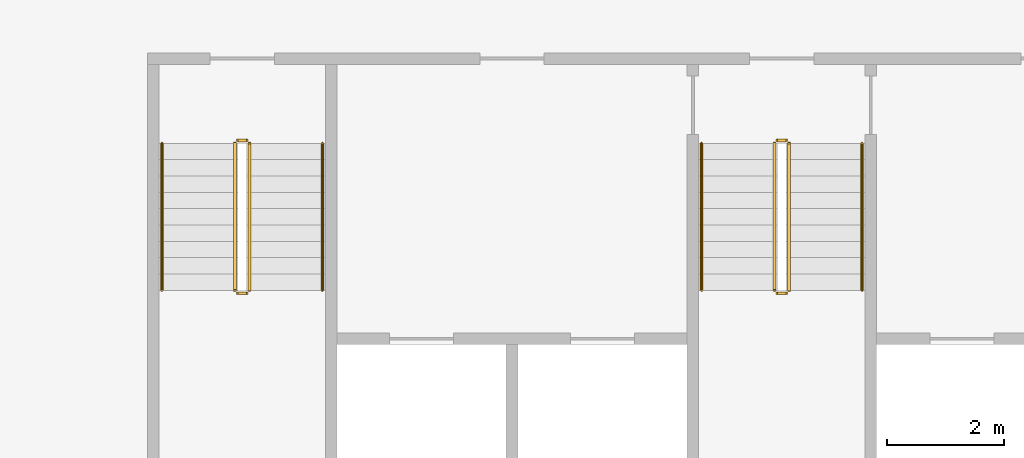
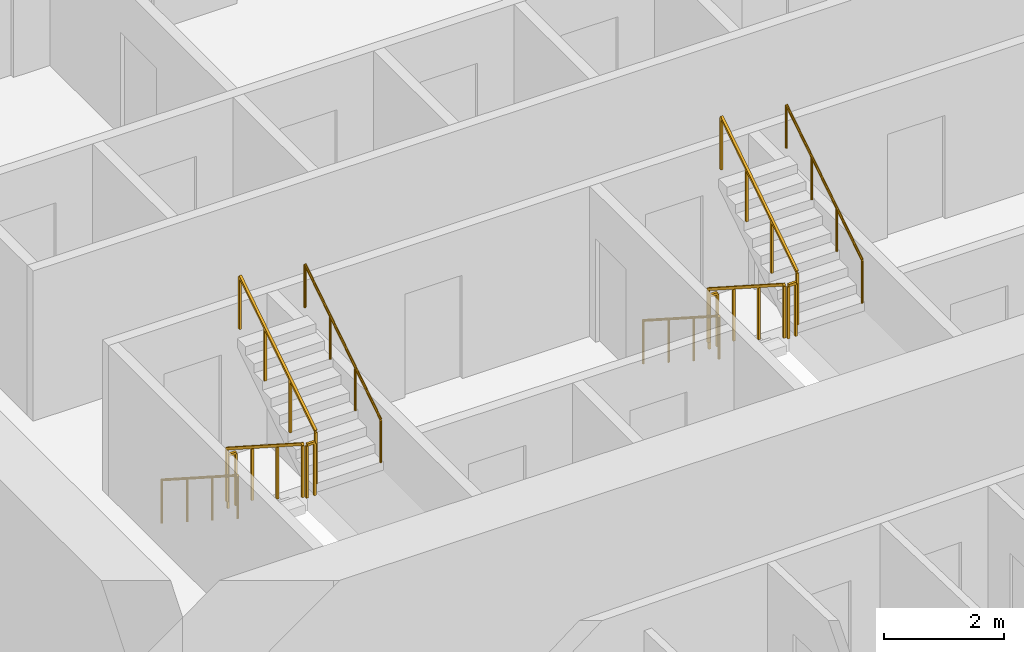
# One storey, part 15 of 17: 12 railings.
"""IFC4 building model written with IfcOpenShell, lengths in metres."""

from ifc_helpers import new_model, si_unit, direction, frame, origin, origin_2d, place, context, subcontext, project, spatial, rectangle, circle, extrude, material, type_object, element, save


model = new_model("IFC4")

# Units and contexts
model_context = context("Model", 3, precision=1e-05, world=origin(), true_north=direction((0.0, 1.0)))
body_context = subcontext(model_context, "Body", "Model", "MODEL_VIEW")
ifc_project = project(units=[si_unit("LENGTHUNIT", "METRE"), si_unit("AREAUNIT", "SQUARE_METRE"), si_unit("VOLUMEUNIT", "CUBIC_METRE"), si_unit("PLANEANGLEUNIT", "RADIAN"), si_unit("MASSUNIT", "GRAM", prefix="KILO")], contexts=[model_context])

# Site, building, storey
site_placement = place(None, origin())
site = spatial("IfcSite", under=ifc_project, at=site_placement, CompositionType="ELEMENT")
building_placement = place(site_placement, origin())
building = spatial("IfcBuilding", under=site, at=building_placement, Name="Mangrove Gate Tower", CompositionType="ELEMENT")
storey_placement = place(building_placement, frame((0.0, 0.0, 93.699951171875)))
storey = spatial("IfcBuildingStorey", under=building, at=storey_placement, Name="L23", CompositionType="ELEMENT", Elevation=93.699951171875)

# Railings
ifc_material_1 = material(Name="Stainless steel 316", Category="steel")
railing_type_1 = type_object("IfcRailingType", Name="Core stair guard 1100", PredefinedType="GUARDRAIL", material=ifc_material_1)
railing_1_placement = place(storey_placement, frame((-9.39990234375, -4.64990234375, 0.179931640625)))
element("IfcRailing", 1, at=railing_1_placement, inside=storey, type_object=railing_type_1, Name="L23 ST1 stair guard 1", PredefinedType="GUARDRAIL", context=body_context, shape_type="SweptSolid", body=[
    extrude(rectangle(XDim=0.048095703125, YDim=0.048095703125, at=origin_2d()), frame((0.0, 0.0, 1.076171875), z_axis=(0.0, -0.841162588446, 0.540782303519), x_axis=(1.0, 0.0, 0.0)), (0.0, 0.0, 1.0), 2.995849609375),
    extrude(rectangle(XDim=0.0419921875, YDim=0.0419921875, at=origin_2d()), origin(), (0.0, 0.0, 1.0), 1.052001953125),
    extrude(rectangle(XDim=0.0419921875, YDim=0.0419921875, at=origin_2d()), frame((0.0, -0.840087890625, 0.5400390625)), (0.0, 0.0, 1.0), 1.052001953125),
    extrude(rectangle(XDim=0.0419921875, YDim=0.0419921875, at=origin_2d()), frame((0.0, -1.679931640625, 1.080078125)), (0.0, 0.0, 1.0), 1.052001953125),
    extrude(rectangle(XDim=0.0419921875, YDim=0.0419921875, at=origin_2d()), frame((0.0, -2.52001953125, 1.6201171875)), (0.0, 0.0, 1.0), 1.052001953125),
])
railing_2_placement = place(storey_placement, frame((-9.35009765625, -7.219970703125, 1.800048828125)))
element("IfcRailing", 2, at=railing_2_placement, inside=storey, type_object=railing_type_1, Name="L23 ST1 stair guard 2", PredefinedType="GUARDRAIL", context=body_context, shape_type="SweptSolid", body=[
    extrude(rectangle(XDim=0.048095703125, YDim=0.048095703125, at=origin_2d()), frame((0.0, 0.0, 1.076171875), z_axis=(1.0, 0.0, 0.0), x_axis=(0.0, 1.0, 0.0)), (0.0, 0.0, 1.0), 0.150146484375),
    extrude(rectangle(XDim=0.0419921875, YDim=0.0419921875, at=origin_2d()), origin(), (0.0, 0.0, 1.0), 1.052001953125),
    extrude(rectangle(XDim=0.0419921875, YDim=0.0419921875, at=origin_2d()), frame((0.150146484375, 0.0, 0.0)), (0.0, 0.0, 1.0), 1.052001953125),
])
railing_3_placement = place(storey_placement, frame((-9.14990234375, -7.169921875, 1.97998046875)))
element("IfcRailing", 3, at=railing_3_placement, inside=storey, type_object=railing_type_1, Name="L23 ST1 stair guard 3", PredefinedType="GUARDRAIL", context=body_context, shape_type="SweptSolid", body=[
    extrude(rectangle(XDim=0.048095703125, YDim=0.048095703125, at=origin_2d()), frame((0.0, 0.0, 1.076171875), z_axis=(0.0, 0.841162588446, 0.540782303519), x_axis=(-1.0, 0.0, 0.0)), (0.0, 0.0, 1.0), 2.995849609375),
    extrude(rectangle(XDim=0.0419921875, YDim=0.0419921875, at=origin_2d()), origin(), (0.0, 0.0, 1.0), 1.052001953125),
    extrude(rectangle(XDim=0.0419921875, YDim=0.0419921875, at=origin_2d()), frame((0.0, 0.840087890625, 0.5400390625)), (0.0, 0.0, 1.0), 1.052001953125),
    extrude(rectangle(XDim=0.0419921875, YDim=0.0419921875, at=origin_2d()), frame((0.0, 1.679931640625, 1.080078125)), (0.0, 0.0, 1.0), 1.052001953125),
    extrude(rectangle(XDim=0.0419921875, YDim=0.0419921875, at=origin_2d()), frame((0.0, 2.52001953125, 1.6201171875)), (0.0, 0.0, 1.0), 1.052001953125),
])
railing_4_placement = place(storey_placement, frame((-9.35009765625, -4.60009765625, 0.0)))
element("IfcRailing", 4, at=railing_4_placement, inside=storey, type_object=railing_type_1, Name="L23 ST1 stair guard 4", PredefinedType="GUARDRAIL", context=body_context, shape_type="SweptSolid", body=[
    extrude(rectangle(XDim=0.048095703125, YDim=0.048095703125, at=origin_2d()), frame((0.0, 0.0, 1.076171875), z_axis=(1.0, 0.0, 0.0), x_axis=(0.0, 1.0, 0.0)), (0.0, 0.0, 1.0), 0.150146484375),
    extrude(rectangle(XDim=0.0419921875, YDim=0.0419921875, at=origin_2d()), origin(), (0.0, 0.0, 1.0), 1.052001953125),
    extrude(rectangle(XDim=0.0419921875, YDim=0.0419921875, at=origin_2d()), frame((0.150146484375, 0.0, 0.0)), (0.0, 0.0, 1.0), 1.052001953125),
])
railing_5_placement = place(storey_placement, frame((-0.14990234375, -4.64990234375, 0.179931640625)))
element("IfcRailing", 5, at=railing_5_placement, inside=storey, type_object=railing_type_1, Name="L23 ST2 stair guard 1", PredefinedType="GUARDRAIL", context=body_context, shape_type="SweptSolid", body=[
    extrude(rectangle(XDim=0.048095703125, YDim=0.048095703125, at=origin_2d()), frame((0.0, 0.0, 1.076171875), z_axis=(0.0, -0.841162588446, 0.540782303519), x_axis=(1.0, 0.0, 0.0)), (0.0, 0.0, 1.0), 2.995849609375),
    extrude(rectangle(XDim=0.0419921875, YDim=0.0419921875, at=origin_2d()), origin(), (0.0, 0.0, 1.0), 1.052001953125),
    extrude(rectangle(XDim=0.0419921875, YDim=0.0419921875, at=origin_2d()), frame((0.0, -0.840087890625, 0.5400390625)), (0.0, 0.0, 1.0), 1.052001953125),
    extrude(rectangle(XDim=0.0419921875, YDim=0.0419921875, at=origin_2d()), frame((0.0, -1.679931640625, 1.080078125)), (0.0, 0.0, 1.0), 1.052001953125),
    extrude(rectangle(XDim=0.0419921875, YDim=0.0419921875, at=origin_2d()), frame((0.0, -2.52001953125, 1.6201171875)), (0.0, 0.0, 1.0), 1.052001953125),
])
railing_6_placement = place(storey_placement, frame((-0.10009765625, -7.219970703125, 1.800048828125)))
element("IfcRailing", 6, at=railing_6_placement, inside=storey, type_object=railing_type_1, Name="L23 ST2 stair guard 2", PredefinedType="GUARDRAIL", context=body_context, shape_type="SweptSolid", body=[
    extrude(rectangle(XDim=0.048095703125, YDim=0.048095703125, at=origin_2d()), frame((0.0, 0.0, 1.076171875), z_axis=(1.0, 0.0, 0.0), x_axis=(0.0, 1.0, 0.0)), (0.0, 0.0, 1.0), 0.150146484375),
    extrude(rectangle(XDim=0.0419921875, YDim=0.0419921875, at=origin_2d()), origin(), (0.0, 0.0, 1.0), 1.052001953125),
    extrude(rectangle(XDim=0.0419921875, YDim=0.0419921875, at=origin_2d()), frame((0.150146484375, 0.0, 0.0)), (0.0, 0.0, 1.0), 1.052001953125),
])
railing_7_placement = place(storey_placement, frame((0.10009765625, -7.169921875, 1.97998046875)))
element("IfcRailing", 7, at=railing_7_placement, inside=storey, type_object=railing_type_1, Name="L23 ST2 stair guard 3", PredefinedType="GUARDRAIL", context=body_context, shape_type="SweptSolid", body=[
    extrude(rectangle(XDim=0.048095703125, YDim=0.048095703125, at=origin_2d()), frame((0.0, 0.0, 1.076171875), z_axis=(0.0, 0.841162588446, 0.540782303519), x_axis=(-1.0, 0.0, 0.0)), (0.0, 0.0, 1.0), 2.995849609375),
    extrude(rectangle(XDim=0.0419921875, YDim=0.0419921875, at=origin_2d()), origin(), (0.0, 0.0, 1.0), 1.052001953125),
    extrude(rectangle(XDim=0.0419921875, YDim=0.0419921875, at=origin_2d()), frame((0.0, 0.840087890625, 0.5400390625)), (0.0, 0.0, 1.0), 1.052001953125),
    extrude(rectangle(XDim=0.0419921875, YDim=0.0419921875, at=origin_2d()), frame((0.0, 1.679931640625, 1.080078125)), (0.0, 0.0, 1.0), 1.052001953125),
    extrude(rectangle(XDim=0.0419921875, YDim=0.0419921875, at=origin_2d()), frame((0.0, 2.52001953125, 1.6201171875)), (0.0, 0.0, 1.0), 1.052001953125),
])
railing_8_placement = place(storey_placement, frame((-0.10009765625, -4.60009765625, 0.0)))
element("IfcRailing", 8, at=railing_8_placement, inside=storey, type_object=railing_type_1, Name="L23 ST2 stair guard 4", PredefinedType="GUARDRAIL", context=body_context, shape_type="SweptSolid", body=[
    extrude(rectangle(XDim=0.048095703125, YDim=0.048095703125, at=origin_2d()), frame((0.0, 0.0, 1.076171875), z_axis=(1.0, 0.0, 0.0), x_axis=(0.0, 1.0, 0.0)), (0.0, 0.0, 1.0), 0.150146484375),
    extrude(rectangle(XDim=0.0419921875, YDim=0.0419921875, at=origin_2d()), origin(), (0.0, 0.0, 1.0), 1.052001953125),
    extrude(rectangle(XDim=0.0419921875, YDim=0.0419921875, at=origin_2d()), frame((0.150146484375, 0.0, 0.0)), (0.0, 0.0, 1.0), 1.052001953125),
])
ifc_material_2 = material(Name="Stainless steel 316", Category="steel")
railing_type_2 = type_object("IfcRailingType", Name="Core stair handrail 900", PredefinedType="HANDRAIL", material=ifc_material_2)
railing_9_placement = place(storey_placement, frame((-10.64990234375, -4.64990234375, 0.179931640625)))
element("IfcRailing", 9, at=railing_9_placement, inside=storey, type_object=railing_type_2, Name="L23 ST1 stair handrail 1", PredefinedType="HANDRAIL", context=body_context, shape_type="SweptSolid", body=[
    extrude(circle(Radius=0.02392578125, at=origin_2d()), frame((0.0, 0.0, 0.8759765625), z_axis=(0.0, -0.841162588446, 0.540782303519), x_axis=(1.0, 0.0, 0.0)), (0.0, 0.0, 1.0), 2.995849609375),
    extrude(circle(Radius=0.02099609375, at=origin_2d()), origin(), (0.0, 0.0, 1.0), 0.851806640625),
    extrude(circle(Radius=0.02099609375, at=origin_2d()), frame((0.0, -0.840087890625, 0.5400390625)), (0.0, 0.0, 1.0), 0.851806640625),
    extrude(circle(Radius=0.02099609375, at=origin_2d()), frame((0.0, -1.679931640625, 1.080078125)), (0.0, 0.0, 1.0), 0.851806640625),
    extrude(circle(Radius=0.02099609375, at=origin_2d()), frame((0.0, -2.52001953125, 1.6201171875)), (0.0, 0.0, 1.0), 0.851806640625),
])
railing_10_placement = place(storey_placement, frame((-7.89990234375, -7.169921875, 1.97998046875)))
element("IfcRailing", 10, at=railing_10_placement, inside=storey, type_object=railing_type_2, Name="L23 ST1 stair handrail 2", PredefinedType="HANDRAIL", context=body_context, shape_type="SweptSolid", body=[
    extrude(circle(Radius=0.02392578125, at=origin_2d()), frame((0.0, 0.0, 0.8759765625), z_axis=(0.0, 0.841162588446, 0.540782303519), x_axis=(-1.0, 0.0, 0.0)), (0.0, 0.0, 1.0), 2.995849609375),
    extrude(circle(Radius=0.02099609375, at=origin_2d()), origin(), (0.0, 0.0, 1.0), 0.851806640625),
    extrude(circle(Radius=0.02099609375, at=origin_2d()), frame((0.0, 0.840087890625, 0.5400390625)), (0.0, 0.0, 1.0), 0.851806640625),
    extrude(circle(Radius=0.02099609375, at=origin_2d()), frame((0.0, 1.679931640625, 1.080078125)), (0.0, 0.0, 1.0), 0.851806640625),
    extrude(circle(Radius=0.02099609375, at=origin_2d()), frame((0.0, 2.52001953125, 1.6201171875)), (0.0, 0.0, 1.0), 0.851806640625),
])
railing_11_placement = place(storey_placement, frame((-1.39990234375, -4.64990234375, 0.179931640625)))
element("IfcRailing", 11, at=railing_11_placement, inside=storey, type_object=railing_type_2, Name="L23 ST2 stair handrail 1", PredefinedType="HANDRAIL", context=body_context, shape_type="SweptSolid", body=[
    extrude(circle(Radius=0.02392578125, at=origin_2d()), frame((0.0, 0.0, 0.8759765625), z_axis=(0.0, -0.841162588446, 0.540782303519), x_axis=(1.0, 0.0, 0.0)), (0.0, 0.0, 1.0), 2.995849609375),
    extrude(circle(Radius=0.02099609375, at=origin_2d()), origin(), (0.0, 0.0, 1.0), 0.851806640625),
    extrude(circle(Radius=0.02099609375, at=origin_2d()), frame((0.0, -0.840087890625, 0.5400390625)), (0.0, 0.0, 1.0), 0.851806640625),
    extrude(circle(Radius=0.02099609375, at=origin_2d()), frame((0.0, -1.679931640625, 1.080078125)), (0.0, 0.0, 1.0), 0.851806640625),
    extrude(circle(Radius=0.02099609375, at=origin_2d()), frame((0.0, -2.52001953125, 1.6201171875)), (0.0, 0.0, 1.0), 0.851806640625),
])
railing_12_placement = place(storey_placement, frame((1.35009765625, -7.169921875, 1.97998046875)))
element("IfcRailing", 12, at=railing_12_placement, inside=storey, type_object=railing_type_2, Name="L23 ST2 stair handrail 2", PredefinedType="HANDRAIL", context=body_context, shape_type="SweptSolid", body=[
    extrude(circle(Radius=0.02392578125, at=origin_2d()), frame((0.0, 0.0, 0.8759765625), z_axis=(0.0, 0.841162588446, 0.540782303519), x_axis=(-1.0, 0.0, 0.0)), (0.0, 0.0, 1.0), 2.995849609375),
    extrude(circle(Radius=0.02099609375, at=origin_2d()), origin(), (0.0, 0.0, 1.0), 0.851806640625),
    extrude(circle(Radius=0.02099609375, at=origin_2d()), frame((0.0, 0.840087890625, 0.5400390625)), (0.0, 0.0, 1.0), 0.851806640625),
    extrude(circle(Radius=0.02099609375, at=origin_2d()), frame((0.0, 1.679931640625, 1.080078125)), (0.0, 0.0, 1.0), 0.851806640625),
    extrude(circle(Radius=0.02099609375, at=origin_2d()), frame((0.0, 2.52001953125, 1.6201171875)), (0.0, 0.0, 1.0), 0.851806640625),
])

save(model, "model.ifc")
